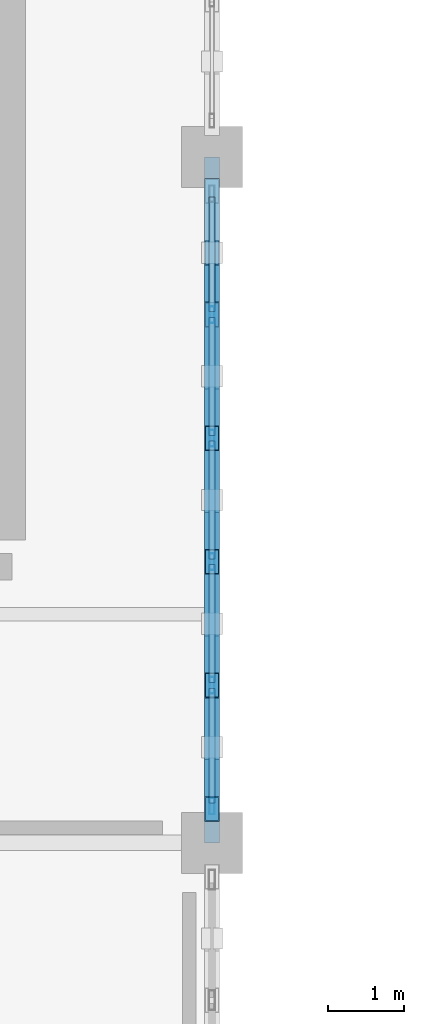
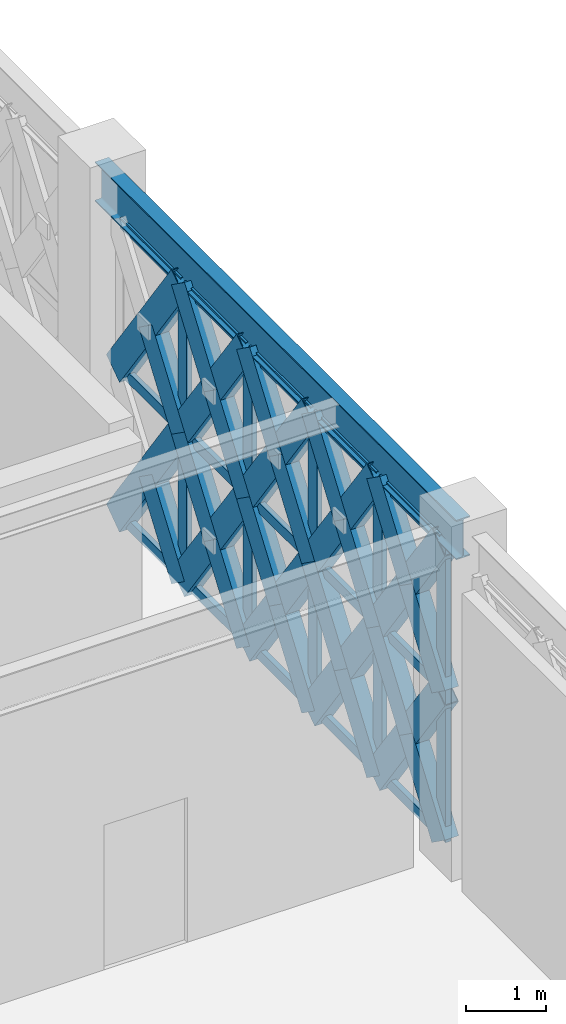
# One storey, part 13 of 86: 48 members, 1 beam, 1 element without a shape of its own.
"""IFC4 building model written with IfcOpenShell, lengths in metres."""

from ifc_helpers import new_model, si_unit, direction, frame, origin, origin_2d, place, context, subcontext, project, spatial, hollow_rectangle, i_section, extrude, material, material_profile, profile_set, type_object, element, aggregate, save


model = new_model("IFC4")

# Units and contexts
model_context = context("Model", 3, precision=1e-05, world=origin(), true_north=direction((0.0, 1.0)))
body_context = subcontext(model_context, "Body", "Model", "MODEL_VIEW")
ifc_project = project(units=[si_unit("LENGTHUNIT", "METRE"), si_unit("AREAUNIT", "SQUARE_METRE"), si_unit("VOLUMEUNIT", "CUBIC_METRE"), si_unit("PLANEANGLEUNIT", "RADIAN"), si_unit("MASSUNIT", "GRAM", prefix="KILO")], contexts=[model_context])

# Site, building, storey
site_placement = place(None, origin())
site = spatial("IfcSite", under=ifc_project, at=site_placement, CompositionType="ELEMENT")
building_placement = place(site_placement, origin())
building = spatial("IfcBuilding", under=site, at=building_placement, Name="Haizhuo Lancet Aquarium", CompositionType="ELEMENT")
storey_placement = place(building_placement, frame((0.0, 0.0, 16.199951171875)))
storey = spatial("IfcBuildingStorey", under=building, at=storey_placement, Name="L03", CompositionType="ELEMENT", Elevation=16.199951171875)

# Beam
ifc_material_1 = material(Name="Steel S355", Category="steel")
ifc_material_profile_1 = material_profile(ifc_material_1, i_section(OverallWidth=0.199951171875, OverallDepth=0.60009765625, WebThickness=0.010986328125, FlangeThickness=0.01708984375, FilletRadius=0.02197265625, at=origin_2d()), Name="HN 600x200x11x17")
ifc_profile_set_1 = profile_set([ifc_material_profile_1], Name="Steel S355")
beam_type = type_object("IfcBeamType", Name="BM-ST-HN600", PredefinedType="BEAM", material=ifc_profile_set_1)
beam_placement = place(storey_placement, frame((-36.0, -27.0, 4.85009765625), z_axis=(0.0, 1.0, 0.0), x_axis=(-1.0, 0.0, 0.0)))
element("IfcBeam", 1, at=beam_placement, inside=storey, type_object=beam_type, Name="L03 V6 primary girder BM-L03-V6-028", PredefinedType="BEAM", context=body_context, shape_type="SweptSolid", body=[
    extrude(i_section(OverallWidth=0.199951171875, OverallDepth=0.60009765625, WebThickness=0.010986328125, FlangeThickness=0.01708984375, FilletRadius=0.02197265625, at=origin_2d()), origin(), (0.0, 0.0, 1.0), 9.0),
])

# Curtain wall, members
ifc_material_2 = material(Name="Aluminium 6063-T6", Category="aluminium")
curtain_wall_type = type_object("IfcCurtainWallType", Name="CWD-8110x4550", PredefinedType="NOTDEFINED", material=ifc_material_2)
curtain_wall_placement = place(storey_placement, origin())
curtain_wall = element("IfcCurtainWall", 2, at=curtain_wall_placement, inside=storey, type_object=curtain_wall_type, Name="L03 curtain wall CW-V6-L03-236", PredefinedType="NOTDEFINED")
ifc_material_profile_2 = material_profile(ifc_material_2, hollow_rectangle(XDim=0.074951171875, YDim=0.219970703125, WallThickness=0.0048828125, at=origin_2d()), Name="ALU-M 75x220x5")
ifc_profile_set_2 = profile_set([ifc_material_profile_2], Name="Aluminium 6063-T6")
member_type_1 = type_object("IfcMemberType", Name="CW-MUL-2", PredefinedType="MULLION", material=ifc_profile_set_2)
member_1_placement = place(storey_placement, frame((-36.0, -20.06689453125, 0.0), z_axis=(0.0, 0.0, 1.0), x_axis=(1.0, 0.0, 0.0)))
member_1 = element("IfcMember", 3, at=member_1_placement, type_object=member_type_1, Name="CWD-81x45 mullion 2", PredefinedType="MULLION", context=body_context, shape_type="SweptSolid", body=[
    extrude(hollow_rectangle(XDim=0.074951171875, YDim=0.219970703125, WallThickness=0.0048828125, at=origin_2d()), origin(), (0.0, 0.0, 1.0), 4.550048828125),
])
member_2_placement = place(storey_placement, frame((-36.0, -21.68896484375, 0.0), z_axis=(0.0, 0.0, 1.0), x_axis=(1.0, 0.0, 0.0)))
member_2 = element("IfcMember", 4, at=member_2_placement, type_object=member_type_1, Name="CWD-81x45 mullion 3", PredefinedType="MULLION", context=body_context, shape_type="SweptSolid", body=[
    extrude(hollow_rectangle(XDim=0.074951171875, YDim=0.219970703125, WallThickness=0.0048828125, at=origin_2d()), origin(), (0.0, 0.0, 1.0), 4.550048828125),
])
member_3_placement = place(storey_placement, frame((-36.0, -23.31103515625, 0.0), z_axis=(0.0, 0.0, 1.0), x_axis=(1.0, 0.0, 0.0)))
member_3 = element("IfcMember", 5, at=member_3_placement, type_object=member_type_1, Name="CWD-81x45 mullion 4", PredefinedType="MULLION", context=body_context, shape_type="SweptSolid", body=[
    extrude(hollow_rectangle(XDim=0.074951171875, YDim=0.219970703125, WallThickness=0.0048828125, at=origin_2d()), origin(), (0.0, 0.0, 1.0), 4.550048828125),
])
member_4_placement = place(storey_placement, frame((-36.0, -24.93310546875, 0.0), z_axis=(0.0, 0.0, 1.0), x_axis=(1.0, 0.0, 0.0)))
member_4 = element("IfcMember", 6, at=member_4_placement, type_object=member_type_1, Name="CWD-81x45 mullion 5", PredefinedType="MULLION", context=body_context, shape_type="SweptSolid", body=[
    extrude(hollow_rectangle(XDim=0.074951171875, YDim=0.219970703125, WallThickness=0.0048828125, at=origin_2d()), origin(), (0.0, 0.0, 1.0), 4.550048828125),
])
member_5_placement = place(storey_placement, frame((-36.0, -26.51708984375, 0.0), z_axis=(0.0, 0.0, 1.0), x_axis=(1.0, 0.0, 0.0)))
member_5 = element("IfcMember", 7, at=member_5_placement, type_object=member_type_1, Name="CWD-81x45 mullion 6", PredefinedType="MULLION", context=body_context, shape_type="SweptSolid", body=[
    extrude(hollow_rectangle(XDim=0.074951171875, YDim=0.219970703125, WallThickness=0.0048828125, at=origin_2d()), origin(), (0.0, 0.0, 1.0), 4.550048828125),
])
ifc_material_profile_3 = material_profile(ifc_material_2, hollow_rectangle(XDim=0.074951171875, YDim=0.159912109375, WallThickness=0.00390625, at=origin_2d()), Name="ALU-T 75x160x4")
ifc_profile_set_3 = profile_set([ifc_material_profile_3], Name="Aluminium 6063-T6")
member_type_2 = type_object("IfcMemberType", Name="CW-TRN-2", PredefinedType="NOTDEFINED", material=ifc_profile_set_3)
member_6_placement = place(storey_placement, frame((-36.0, -18.52001953125, 0.0380859375), z_axis=(0.0, -1.0, 0.0), x_axis=(1.0, 0.0, 0.0)))
member_6 = element("IfcMember", 8, at=member_6_placement, type_object=member_type_2, Name="CWD-81x45 transom 1.1", ObjectType="TRANSOM", PredefinedType="USERDEFINED", context=body_context, shape_type="SweptSolid", body=[
    extrude(hollow_rectangle(XDim=0.074951171875, YDim=0.159912109375, WallThickness=0.00390625, at=origin_2d()), origin(), (0.0, 0.0, 1.0), 1.509033203125),
])
member_7_placement = place(storey_placement, frame((-36.0, -18.52001953125, 2.275146484375), z_axis=(0.0, -1.0, 0.0), x_axis=(1.0, 0.0, 0.0)))
member_7 = element("IfcMember", 9, at=member_7_placement, type_object=member_type_2, Name="CWD-81x45 transom 1.2", ObjectType="TRANSOM", PredefinedType="USERDEFINED", context=body_context, shape_type="SweptSolid", body=[
    extrude(hollow_rectangle(XDim=0.074951171875, YDim=0.159912109375, WallThickness=0.00390625, at=origin_2d()), origin(), (0.0, 0.0, 1.0), 1.509033203125),
])
member_8_placement = place(storey_placement, frame((-36.0, -18.52001953125, 4.511962890625), z_axis=(0.0, -1.0, 0.0), x_axis=(1.0, 0.0, 0.0)))
member_8 = element("IfcMember", 10, at=member_8_placement, type_object=member_type_2, Name="CWD-81x45 transom 1.3", ObjectType="TRANSOM", PredefinedType="USERDEFINED", context=body_context, shape_type="SweptSolid", body=[
    extrude(hollow_rectangle(XDim=0.074951171875, YDim=0.159912109375, WallThickness=0.00390625, at=origin_2d()), origin(), (0.0, 0.0, 1.0), 1.509033203125),
])
member_9_placement = place(storey_placement, frame((-36.0, -20.10498046875, 0.0380859375), z_axis=(0.0, -1.0, 0.0), x_axis=(1.0, 0.0, 0.0)))
member_9 = element("IfcMember", 11, at=member_9_placement, type_object=member_type_2, Name="CWD-81x45 transom 2.1", ObjectType="TRANSOM", PredefinedType="USERDEFINED", context=body_context, shape_type="SweptSolid", body=[
    extrude(hollow_rectangle(XDim=0.074951171875, YDim=0.159912109375, WallThickness=0.00390625, at=origin_2d()), origin(), (0.0, 0.0, 1.0), 1.5458984375),
])
member_10_placement = place(storey_placement, frame((-36.0, -20.10498046875, 2.275146484375), z_axis=(0.0, -1.0, 0.0), x_axis=(1.0, 0.0, 0.0)))
member_10 = element("IfcMember", 12, at=member_10_placement, type_object=member_type_2, Name="CWD-81x45 transom 2.2", ObjectType="TRANSOM", PredefinedType="USERDEFINED", context=body_context, shape_type="SweptSolid", body=[
    extrude(hollow_rectangle(XDim=0.074951171875, YDim=0.159912109375, WallThickness=0.00390625, at=origin_2d()), origin(), (0.0, 0.0, 1.0), 1.5458984375),
])
member_11_placement = place(storey_placement, frame((-36.0, -20.10498046875, 4.511962890625), z_axis=(0.0, -1.0, 0.0), x_axis=(1.0, 0.0, 0.0)))
member_11 = element("IfcMember", 13, at=member_11_placement, type_object=member_type_2, Name="CWD-81x45 transom 2.3", ObjectType="TRANSOM", PredefinedType="USERDEFINED", context=body_context, shape_type="SweptSolid", body=[
    extrude(hollow_rectangle(XDim=0.074951171875, YDim=0.159912109375, WallThickness=0.00390625, at=origin_2d()), origin(), (0.0, 0.0, 1.0), 1.5458984375),
])
member_12_placement = place(storey_placement, frame((-36.0, -21.72705078125, 0.0380859375), z_axis=(0.0, -1.0, 0.0), x_axis=(1.0, 0.0, 0.0)))
member_12 = element("IfcMember", 14, at=member_12_placement, type_object=member_type_2, Name="CWD-81x45 transom 3.1", ObjectType="TRANSOM", PredefinedType="USERDEFINED", context=body_context, shape_type="SweptSolid", body=[
    extrude(hollow_rectangle(XDim=0.074951171875, YDim=0.159912109375, WallThickness=0.00390625, at=origin_2d()), origin(), (0.0, 0.0, 1.0), 1.5458984375),
])
member_13_placement = place(storey_placement, frame((-36.0, -21.72705078125, 2.275146484375), z_axis=(0.0, -1.0, 0.0), x_axis=(1.0, 0.0, 0.0)))
member_13 = element("IfcMember", 15, at=member_13_placement, type_object=member_type_2, Name="CWD-81x45 transom 3.2", ObjectType="TRANSOM", PredefinedType="USERDEFINED", context=body_context, shape_type="SweptSolid", body=[
    extrude(hollow_rectangle(XDim=0.074951171875, YDim=0.159912109375, WallThickness=0.00390625, at=origin_2d()), origin(), (0.0, 0.0, 1.0), 1.5458984375),
])
member_14_placement = place(storey_placement, frame((-36.0, -21.72705078125, 4.511962890625), z_axis=(0.0, -1.0, 0.0), x_axis=(1.0, 0.0, 0.0)))
member_14 = element("IfcMember", 16, at=member_14_placement, type_object=member_type_2, Name="CWD-81x45 transom 3.3", ObjectType="TRANSOM", PredefinedType="USERDEFINED", context=body_context, shape_type="SweptSolid", body=[
    extrude(hollow_rectangle(XDim=0.074951171875, YDim=0.159912109375, WallThickness=0.00390625, at=origin_2d()), origin(), (0.0, 0.0, 1.0), 1.5458984375),
])
member_15_placement = place(storey_placement, frame((-36.0, -23.34912109375, 0.0380859375), z_axis=(0.0, -1.0, 0.0), x_axis=(1.0, 0.0, 0.0)))
member_15 = element("IfcMember", 17, at=member_15_placement, type_object=member_type_2, Name="CWD-81x45 transom 4.1", ObjectType="TRANSOM", PredefinedType="USERDEFINED", context=body_context, shape_type="SweptSolid", body=[
    extrude(hollow_rectangle(XDim=0.074951171875, YDim=0.159912109375, WallThickness=0.00390625, at=origin_2d()), origin(), (0.0, 0.0, 1.0), 1.5458984375),
])
member_16_placement = place(storey_placement, frame((-36.0, -23.34912109375, 2.275146484375), z_axis=(0.0, -1.0, 0.0), x_axis=(1.0, 0.0, 0.0)))
member_16 = element("IfcMember", 18, at=member_16_placement, type_object=member_type_2, Name="CWD-81x45 transom 4.2", ObjectType="TRANSOM", PredefinedType="USERDEFINED", context=body_context, shape_type="SweptSolid", body=[
    extrude(hollow_rectangle(XDim=0.074951171875, YDim=0.159912109375, WallThickness=0.00390625, at=origin_2d()), origin(), (0.0, 0.0, 1.0), 1.5458984375),
])
member_17_placement = place(storey_placement, frame((-36.0, -23.34912109375, 4.511962890625), z_axis=(0.0, -1.0, 0.0), x_axis=(1.0, 0.0, 0.0)))
member_17 = element("IfcMember", 19, at=member_17_placement, type_object=member_type_2, Name="CWD-81x45 transom 4.3", ObjectType="TRANSOM", PredefinedType="USERDEFINED", context=body_context, shape_type="SweptSolid", body=[
    extrude(hollow_rectangle(XDim=0.074951171875, YDim=0.159912109375, WallThickness=0.00390625, at=origin_2d()), origin(), (0.0, 0.0, 1.0), 1.5458984375),
])
member_18_placement = place(storey_placement, frame((-36.0, -24.970947265625, 0.0380859375), z_axis=(0.0, -1.0, 0.0), x_axis=(1.0, 0.0, 0.0)))
member_18 = element("IfcMember", 20, at=member_18_placement, type_object=member_type_2, Name="CWD-81x45 transom 5.1", ObjectType="TRANSOM", PredefinedType="USERDEFINED", context=body_context, shape_type="SweptSolid", body=[
    extrude(hollow_rectangle(XDim=0.074951171875, YDim=0.159912109375, WallThickness=0.00390625, at=origin_2d()), origin(), (0.0, 0.0, 1.0), 1.509033203125),
])
member_19_placement = place(storey_placement, frame((-36.0, -24.970947265625, 2.275146484375), z_axis=(0.0, -1.0, 0.0), x_axis=(1.0, 0.0, 0.0)))
member_19 = element("IfcMember", 21, at=member_19_placement, type_object=member_type_2, Name="CWD-81x45 transom 5.2", ObjectType="TRANSOM", PredefinedType="USERDEFINED", context=body_context, shape_type="SweptSolid", body=[
    extrude(hollow_rectangle(XDim=0.074951171875, YDim=0.159912109375, WallThickness=0.00390625, at=origin_2d()), origin(), (0.0, 0.0, 1.0), 1.509033203125),
])
member_20_placement = place(storey_placement, frame((-36.0, -24.970947265625, 4.511962890625), z_axis=(0.0, -1.0, 0.0), x_axis=(1.0, 0.0, 0.0)))
member_20 = element("IfcMember", 22, at=member_20_placement, type_object=member_type_2, Name="CWD-81x45 transom 5.3", ObjectType="TRANSOM", PredefinedType="USERDEFINED", context=body_context, shape_type="SweptSolid", body=[
    extrude(hollow_rectangle(XDim=0.074951171875, YDim=0.159912109375, WallThickness=0.00390625, at=origin_2d()), origin(), (0.0, 0.0, 1.0), 1.509033203125),
])
aggregate(curtain_wall, [member_1, member_2, member_3, member_4, member_5, member_6, member_7, member_8, member_9, member_10, member_11, member_12, member_13, member_14, member_15, member_16, member_17, member_18, member_19, member_20])

# Members
ifc_material_profile_4 = material_profile(ifc_material_1, hollow_rectangle(XDim=0.199951171875, YDim=0.39990234375, WallThickness=0.011962890625, at=origin_2d()), Name="RHS 200x400x12")
ifc_profile_set_4 = profile_set([ifc_material_profile_4], Name="Steel S355")
member_type_3 = type_object("IfcMemberType", Name="MEM-LB-RHS200x400", PredefinedType="BRACE", material=ifc_profile_set_4)
member_21_placement = place(storey_placement, frame((-36.0, -18.445068359375, 0.0), z_axis=(0.0, -0.580460961116, 0.81428807717), x_axis=(1.0, 0.0, 0.0)))
element("IfcMember", 23, at=member_21_placement, inside=storey, type_object=member_type_3, Name="Gothic lancet continuous diagonal brace CW-V6-L03-236 1A", PredefinedType="BRACE", context=body_context, shape_type="SweptSolid", body=[
    extrude(hollow_rectangle(XDim=0.199951171875, YDim=0.39990234375, WallThickness=0.011962890625, at=origin_2d()), origin(), (0.0, 0.0, 1.0), 2.7939453125),
])
member_22_placement = place(storey_placement, frame((-36.0, -20.06689453125, 0.0), z_axis=(0.0, 0.580609578331, 0.814182115715), x_axis=(-1.0, 0.0, 0.0)))
element("IfcMember", 24, at=member_22_placement, inside=storey, type_object=member_type_3, Name="Gothic lancet split diagonal brace CW-V6-L03-236 1B1", PredefinedType="BRACE", context=body_context, shape_type="SweptSolid", body=[
    extrude(hollow_rectangle(XDim=0.199951171875, YDim=0.39990234375, WallThickness=0.011962890625, at=origin_2d()), origin(), (0.0, 0.0, 1.0), 1.396484375),
])
member_23_placement = place(storey_placement, frame((-36.0, -18.445068359375, 2.275146484375), z_axis=(0.0, -0.58050226424, 0.814258632875), x_axis=(1.0, 0.0, 0.0)))
element("IfcMember", 25, at=member_23_placement, inside=storey, type_object=member_type_3, Name="Gothic lancet continuous diagonal brace CW-V6-L03-236 2A", PredefinedType="BRACE", context=body_context, shape_type="SweptSolid", body=[
    extrude(hollow_rectangle(XDim=0.199951171875, YDim=0.39990234375, WallThickness=0.011962890625, at=origin_2d()), origin(), (0.0, 0.0, 1.0), 2.7939453125),
])
member_24_placement = place(storey_placement, frame((-36.0, -20.06689453125, 2.275146484375), z_axis=(0.0, 0.580279135253, 0.814417660166), x_axis=(-1.0, 0.0, 0.0)))
element("IfcMember", 26, at=member_24_placement, inside=storey, type_object=member_type_3, Name="Gothic lancet split diagonal brace CW-V6-L03-236 2B1", PredefinedType="BRACE", context=body_context, shape_type="SweptSolid", body=[
    extrude(hollow_rectangle(XDim=0.199951171875, YDim=0.39990234375, WallThickness=0.011962890625, at=origin_2d()), origin(), (0.0, 0.0, 1.0), 1.397216796875),
])
member_25_placement = place(storey_placement, frame((-36.0, -20.06689453125, 0.0), z_axis=(0.0, -0.580518894897, 0.814246776271), x_axis=(1.0, 0.0, 0.0)))
element("IfcMember", 27, at=member_25_placement, inside=storey, type_object=member_type_3, Name="Gothic lancet continuous diagonal brace CW-V6-L03-236 3A", PredefinedType="BRACE", context=body_context, shape_type="SweptSolid", body=[
    extrude(hollow_rectangle(XDim=0.199951171875, YDim=0.39990234375, WallThickness=0.011962890625, at=origin_2d()), origin(), (0.0, 0.0, 1.0), 2.794189453125),
])
member_26_placement = place(storey_placement, frame((-36.0, -21.68896484375, 0.0), z_axis=(0.0, 0.580725454015, 0.814099470003), x_axis=(-1.0, 0.0, 0.0)))
element("IfcMember", 28, at=member_26_placement, inside=storey, type_object=member_type_3, Name="Gothic lancet split diagonal brace CW-V6-L03-236 3B1", PredefinedType="BRACE", context=body_context, shape_type="SweptSolid", body=[
    extrude(hollow_rectangle(XDim=0.199951171875, YDim=0.39990234375, WallThickness=0.011962890625, at=origin_2d()), origin(), (0.0, 0.0, 1.0), 1.396484375),
])
member_27_placement = place(storey_placement, frame((-36.0, -20.8779296875, 1.136962890625), z_axis=(0.0, 0.580312445357, 0.814393925422), x_axis=(-1.0, 0.0, 0.0)))
element("IfcMember", 29, at=member_27_placement, inside=storey, type_object=member_type_3, Name="Gothic lancet split diagonal brace CW-V6-L03-236 3B2", PredefinedType="BRACE", context=body_context, shape_type="SweptSolid", body=[
    extrude(hollow_rectangle(XDim=0.199951171875, YDim=0.39990234375, WallThickness=0.011962890625, at=origin_2d()), origin(), (0.0, 0.0, 1.0), 1.397705078125),
])
member_28_placement = place(storey_placement, frame((-36.0, -20.06689453125, 2.275146484375), z_axis=(0.0, -0.580560197953, 0.814217327593), x_axis=(1.0, 0.0, 0.0)))
element("IfcMember", 30, at=member_28_placement, inside=storey, type_object=member_type_3, Name="Gothic lancet continuous diagonal brace CW-V6-L03-236 4A", PredefinedType="BRACE", context=body_context, shape_type="SweptSolid", body=[
    extrude(hollow_rectangle(XDim=0.199951171875, YDim=0.39990234375, WallThickness=0.011962890625, at=origin_2d()), origin(), (0.0, 0.0, 1.0), 2.7939453125),
])
member_29_placement = place(storey_placement, frame((-36.0, -21.68896484375, 2.275146484375), z_axis=(0.0, 0.580395012026, 0.814335084603), x_axis=(-1.0, 0.0, 0.0)))
element("IfcMember", 31, at=member_29_placement, inside=storey, type_object=member_type_3, Name="Gothic lancet split diagonal brace CW-V6-L03-236 4B1", PredefinedType="BRACE", context=body_context, shape_type="SweptSolid", body=[
    extrude(hollow_rectangle(XDim=0.199951171875, YDim=0.39990234375, WallThickness=0.011962890625, at=origin_2d()), origin(), (0.0, 0.0, 1.0), 1.3974609375),
])
member_30_placement = place(storey_placement, frame((-36.0, -20.8779296875, 3.4130859375), z_axis=(0.0, 0.580725454015, 0.814099470003), x_axis=(-1.0, 0.0, 0.0)))
element("IfcMember", 32, at=member_30_placement, inside=storey, type_object=member_type_3, Name="Gothic lancet split diagonal brace CW-V6-L03-236 4B2", PredefinedType="BRACE", context=body_context, shape_type="SweptSolid", body=[
    extrude(hollow_rectangle(XDim=0.199951171875, YDim=0.39990234375, WallThickness=0.011962890625, at=origin_2d()), origin(), (0.0, 0.0, 1.0), 1.396484375),
])
member_31_placement = place(storey_placement, frame((-36.0, -21.68896484375, 0.0), z_axis=(0.0, -0.580518894897, 0.814246776271), x_axis=(1.0, 0.0, 0.0)))
element("IfcMember", 33, at=member_31_placement, inside=storey, type_object=member_type_3, Name="Gothic lancet continuous diagonal brace CW-V6-L03-236 5A", PredefinedType="BRACE", context=body_context, shape_type="SweptSolid", body=[
    extrude(hollow_rectangle(XDim=0.199951171875, YDim=0.39990234375, WallThickness=0.011962890625, at=origin_2d()), origin(), (0.0, 0.0, 1.0), 2.794189453125),
])
member_32_placement = place(storey_placement, frame((-36.0, -23.31103515625, 0.0), z_axis=(0.0, 0.580725454015, 0.814099470003), x_axis=(-1.0, 0.0, 0.0)))
element("IfcMember", 34, at=member_32_placement, inside=storey, type_object=member_type_3, Name="Gothic lancet split diagonal brace CW-V6-L03-236 5B1", PredefinedType="BRACE", context=body_context, shape_type="SweptSolid", body=[
    extrude(hollow_rectangle(XDim=0.199951171875, YDim=0.39990234375, WallThickness=0.011962890625, at=origin_2d()), origin(), (0.0, 0.0, 1.0), 1.396484375),
])
member_33_placement = place(storey_placement, frame((-36.0, -22.5, 1.136962890625), z_axis=(0.0, 0.580312445357, 0.814393925422), x_axis=(-1.0, 0.0, 0.0)))
element("IfcMember", 35, at=member_33_placement, inside=storey, type_object=member_type_3, Name="Gothic lancet split diagonal brace CW-V6-L03-236 5B2", PredefinedType="BRACE", context=body_context, shape_type="SweptSolid", body=[
    extrude(hollow_rectangle(XDim=0.199951171875, YDim=0.39990234375, WallThickness=0.011962890625, at=origin_2d()), origin(), (0.0, 0.0, 1.0), 1.397705078125),
])
member_34_placement = place(storey_placement, frame((-36.0, -21.68896484375, 2.275146484375), z_axis=(0.0, -0.580560197953, 0.814217327593), x_axis=(1.0, 0.0, 0.0)))
element("IfcMember", 36, at=member_34_placement, inside=storey, type_object=member_type_3, Name="Gothic lancet continuous diagonal brace CW-V6-L03-236 6A", PredefinedType="BRACE", context=body_context, shape_type="SweptSolid", body=[
    extrude(hollow_rectangle(XDim=0.199951171875, YDim=0.39990234375, WallThickness=0.011962890625, at=origin_2d()), origin(), (0.0, 0.0, 1.0), 2.7939453125),
])
member_35_placement = place(storey_placement, frame((-36.0, -23.31103515625, 2.275146484375), z_axis=(0.0, 0.580395012026, 0.814335084603), x_axis=(-1.0, 0.0, 0.0)))
element("IfcMember", 37, at=member_35_placement, inside=storey, type_object=member_type_3, Name="Gothic lancet split diagonal brace CW-V6-L03-236 6B1", PredefinedType="BRACE", context=body_context, shape_type="SweptSolid", body=[
    extrude(hollow_rectangle(XDim=0.199951171875, YDim=0.39990234375, WallThickness=0.011962890625, at=origin_2d()), origin(), (0.0, 0.0, 1.0), 1.3974609375),
])
member_36_placement = place(storey_placement, frame((-36.0, -22.5, 3.4130859375), z_axis=(0.0, 0.580725454015, 0.814099470003), x_axis=(-1.0, 0.0, 0.0)))
element("IfcMember", 38, at=member_36_placement, inside=storey, type_object=member_type_3, Name="Gothic lancet split diagonal brace CW-V6-L03-236 6B2", PredefinedType="BRACE", context=body_context, shape_type="SweptSolid", body=[
    extrude(hollow_rectangle(XDim=0.199951171875, YDim=0.39990234375, WallThickness=0.011962890625, at=origin_2d()), origin(), (0.0, 0.0, 1.0), 1.396484375),
])
member_37_placement = place(storey_placement, frame((-36.0, -23.31103515625, 0.0), z_axis=(0.0, -0.580518894897, 0.814246776271), x_axis=(1.0, 0.0, 0.0)))
element("IfcMember", 39, at=member_37_placement, inside=storey, type_object=member_type_3, Name="Gothic lancet continuous diagonal brace CW-V6-L03-236 7A", PredefinedType="BRACE", context=body_context, shape_type="SweptSolid", body=[
    extrude(hollow_rectangle(XDim=0.199951171875, YDim=0.39990234375, WallThickness=0.011962890625, at=origin_2d()), origin(), (0.0, 0.0, 1.0), 2.794189453125),
])
member_38_placement = place(storey_placement, frame((-36.0, -24.93310546875, 0.0), z_axis=(0.0, 0.580725454015, 0.814099470003), x_axis=(-1.0, 0.0, 0.0)))
element("IfcMember", 40, at=member_38_placement, inside=storey, type_object=member_type_3, Name="Gothic lancet split diagonal brace CW-V6-L03-236 7B1", PredefinedType="BRACE", context=body_context, shape_type="SweptSolid", body=[
    extrude(hollow_rectangle(XDim=0.199951171875, YDim=0.39990234375, WallThickness=0.011962890625, at=origin_2d()), origin(), (0.0, 0.0, 1.0), 1.396484375),
])
member_39_placement = place(storey_placement, frame((-36.0, -24.1220703125, 1.136962890625), z_axis=(0.0, 0.580312445357, 0.814393925422), x_axis=(-1.0, 0.0, 0.0)))
element("IfcMember", 41, at=member_39_placement, inside=storey, type_object=member_type_3, Name="Gothic lancet split diagonal brace CW-V6-L03-236 7B2", PredefinedType="BRACE", context=body_context, shape_type="SweptSolid", body=[
    extrude(hollow_rectangle(XDim=0.199951171875, YDim=0.39990234375, WallThickness=0.011962890625, at=origin_2d()), origin(), (0.0, 0.0, 1.0), 1.397705078125),
])
member_40_placement = place(storey_placement, frame((-36.0, -23.31103515625, 2.275146484375), z_axis=(0.0, -0.580560197953, 0.814217327593), x_axis=(1.0, 0.0, 0.0)))
element("IfcMember", 42, at=member_40_placement, inside=storey, type_object=member_type_3, Name="Gothic lancet continuous diagonal brace CW-V6-L03-236 8A", PredefinedType="BRACE", context=body_context, shape_type="SweptSolid", body=[
    extrude(hollow_rectangle(XDim=0.199951171875, YDim=0.39990234375, WallThickness=0.011962890625, at=origin_2d()), origin(), (0.0, 0.0, 1.0), 2.7939453125),
])
member_41_placement = place(storey_placement, frame((-36.0, -24.93310546875, 2.275146484375), z_axis=(0.0, 0.580395012026, 0.814335084603), x_axis=(-1.0, 0.0, 0.0)))
element("IfcMember", 43, at=member_41_placement, inside=storey, type_object=member_type_3, Name="Gothic lancet split diagonal brace CW-V6-L03-236 8B1", PredefinedType="BRACE", context=body_context, shape_type="SweptSolid", body=[
    extrude(hollow_rectangle(XDim=0.199951171875, YDim=0.39990234375, WallThickness=0.011962890625, at=origin_2d()), origin(), (0.0, 0.0, 1.0), 1.3974609375),
])
member_42_placement = place(storey_placement, frame((-36.0, -24.1220703125, 3.4130859375), z_axis=(0.0, 0.580725454015, 0.814099470003), x_axis=(-1.0, 0.0, 0.0)))
element("IfcMember", 44, at=member_42_placement, inside=storey, type_object=member_type_3, Name="Gothic lancet split diagonal brace CW-V6-L03-236 8B2", PredefinedType="BRACE", context=body_context, shape_type="SweptSolid", body=[
    extrude(hollow_rectangle(XDim=0.199951171875, YDim=0.39990234375, WallThickness=0.011962890625, at=origin_2d()), origin(), (0.0, 0.0, 1.0), 1.396484375),
])
member_43_placement = place(storey_placement, frame((-36.0, -24.93310546875, 0.0), z_axis=(0.0, -0.580460961116, 0.81428807717), x_axis=(1.0, 0.0, 0.0)))
element("IfcMember", 45, at=member_43_placement, inside=storey, type_object=member_type_3, Name="Gothic lancet continuous diagonal brace CW-V6-L03-236 9A", PredefinedType="BRACE", context=body_context, shape_type="SweptSolid", body=[
    extrude(hollow_rectangle(XDim=0.199951171875, YDim=0.39990234375, WallThickness=0.011962890625, at=origin_2d()), origin(), (0.0, 0.0, 1.0), 2.7939453125),
])
member_44_placement = place(storey_placement, frame((-36.0, -26.554931640625, 0.0), z_axis=(0.0, 0.580725454015, 0.814099470003), x_axis=(-1.0, 0.0, 0.0)))
element("IfcMember", 46, at=member_44_placement, inside=storey, type_object=member_type_3, Name="Gothic lancet split diagonal brace CW-V6-L03-236 9B1", PredefinedType="BRACE", context=body_context, shape_type="SweptSolid", body=[
    extrude(hollow_rectangle(XDim=0.199951171875, YDim=0.39990234375, WallThickness=0.011962890625, at=origin_2d()), origin(), (0.0, 0.0, 1.0), 1.396484375),
])
member_45_placement = place(storey_placement, frame((-36.0, -25.743896484375, 1.136962890625), z_axis=(0.0, 0.580196568329, 0.814476483454), x_axis=(-1.0, 0.0, 0.0)))
element("IfcMember", 47, at=member_45_placement, inside=storey, type_object=member_type_3, Name="Gothic lancet split diagonal brace CW-V6-L03-236 9B2", PredefinedType="BRACE", context=body_context, shape_type="SweptSolid", body=[
    extrude(hollow_rectangle(XDim=0.199951171875, YDim=0.39990234375, WallThickness=0.011962890625, at=origin_2d()), origin(), (0.0, 0.0, 1.0), 1.3974609375),
])
member_46_placement = place(storey_placement, frame((-36.0, -24.93310546875, 2.275146484375), z_axis=(0.0, -0.58050226424, 0.814258632875), x_axis=(1.0, 0.0, 0.0)))
element("IfcMember", 48, at=member_46_placement, inside=storey, type_object=member_type_3, Name="Gothic lancet continuous diagonal brace CW-V6-L03-236 10A", PredefinedType="BRACE", context=body_context, shape_type="SweptSolid", body=[
    extrude(hollow_rectangle(XDim=0.199951171875, YDim=0.39990234375, WallThickness=0.011962890625, at=origin_2d()), origin(), (0.0, 0.0, 1.0), 2.7939453125),
])
member_47_placement = place(storey_placement, frame((-36.0, -26.554931640625, 2.275146484375), z_axis=(0.0, 0.580395012026, 0.814335084603), x_axis=(-1.0, 0.0, 0.0)))
element("IfcMember", 49, at=member_47_placement, inside=storey, type_object=member_type_3, Name="Gothic lancet split diagonal brace CW-V6-L03-236 10B1", PredefinedType="BRACE", context=body_context, shape_type="SweptSolid", body=[
    extrude(hollow_rectangle(XDim=0.199951171875, YDim=0.39990234375, WallThickness=0.011962890625, at=origin_2d()), origin(), (0.0, 0.0, 1.0), 1.3974609375),
])
member_48_placement = place(storey_placement, frame((-36.0, -25.743896484375, 3.4130859375), z_axis=(0.0, 0.580609578331, 0.814182115715), x_axis=(-1.0, 0.0, 0.0)))
element("IfcMember", 50, at=member_48_placement, inside=storey, type_object=member_type_3, Name="Gothic lancet split diagonal brace CW-V6-L03-236 10B2", PredefinedType="BRACE", context=body_context, shape_type="SweptSolid", body=[
    extrude(hollow_rectangle(XDim=0.199951171875, YDim=0.39990234375, WallThickness=0.011962890625, at=origin_2d()), origin(), (0.0, 0.0, 1.0), 1.396484375),
])

save(model, "model.ifc")
